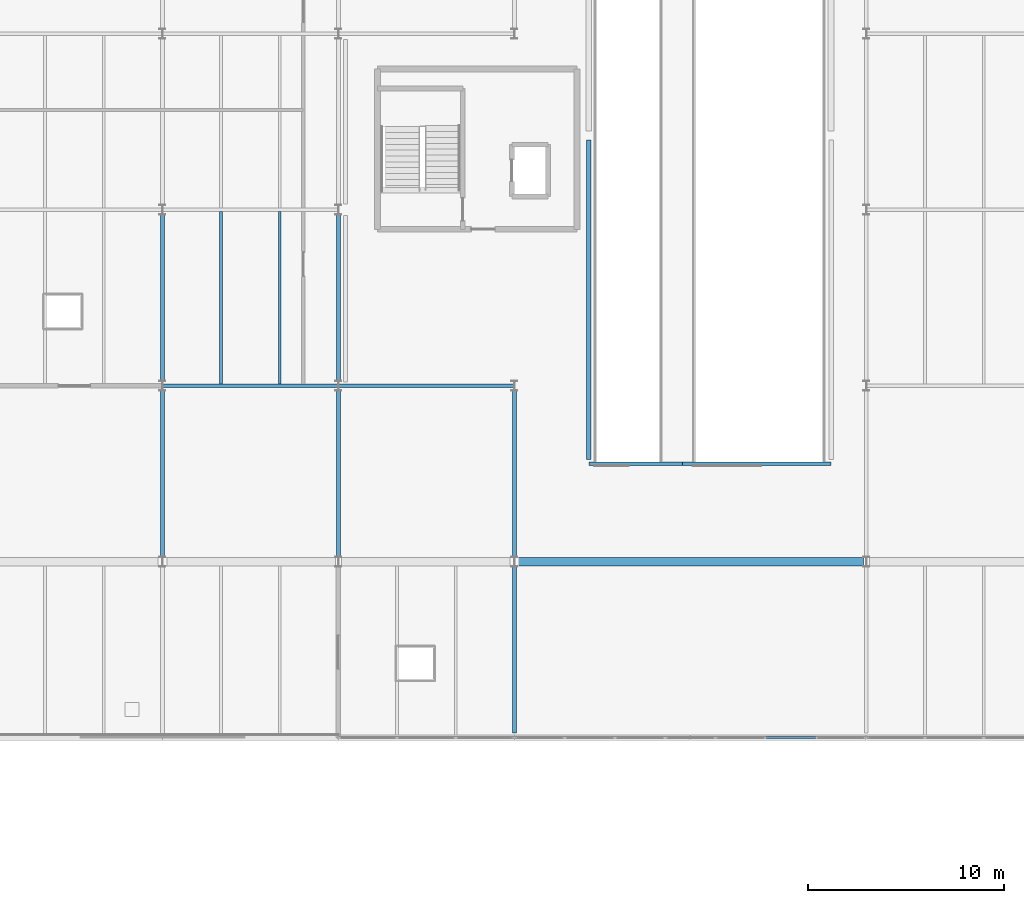
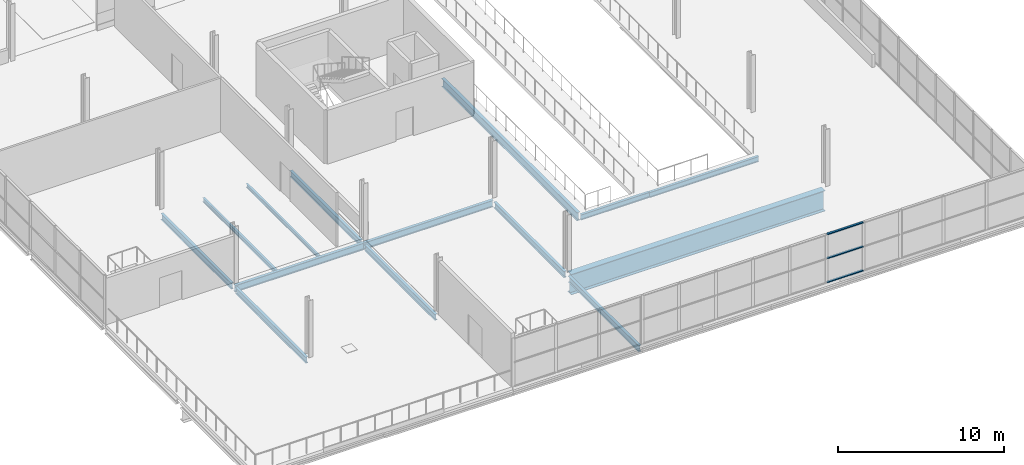
# One storey, part 22 of 88: 14 beams, 3 members, 1 element without a shape of its own.
"""IFC4 building model written with IfcOpenShell, lengths in metres."""

from ifc_helpers import new_model, si_unit, direction, frame, origin, origin_2d, place, context, subcontext, project, spatial, hollow_rectangle, i_section, extrude, material, layer, layer_set, material_profile, profile_set, type_object, element, aggregate, save


model = new_model("IFC4")

# Units and contexts
model_context = context("Model", 3, precision=1e-05, world=origin(), true_north=direction((0.0, 1.0)))
body_context = subcontext(model_context, "Body", "Model", "MODEL_VIEW")
ifc_project = project(units=[si_unit("LENGTHUNIT", "METRE"), si_unit("AREAUNIT", "SQUARE_METRE"), si_unit("VOLUMEUNIT", "CUBIC_METRE"), si_unit("PLANEANGLEUNIT", "RADIAN"), si_unit("MASSUNIT", "GRAM", prefix="KILO")], contexts=[model_context])

# Site, building, storey
site_placement = place(None, origin())
site = spatial("IfcSite", under=ifc_project, at=site_placement, CompositionType="ELEMENT")
building_placement = place(site_placement, origin())
building = spatial("IfcBuilding", under=site, at=building_placement, Name="Deido Ridge Mobility Hub", CompositionType="ELEMENT")
storey_placement = place(building_placement, frame((0.0, 0.0, 16.800048828125)))
storey = spatial("IfcBuildingStorey", under=building, at=storey_placement, Name="L04", CompositionType="ELEMENT", Elevation=16.800048828125)

# Beams
ifc_material_1 = material(Name="Steel S355J2 EN 10025-2", Category="steel")
ifc_material_profile_1 = material_profile(ifc_material_1, i_section(OverallWidth=0.179931640625, OverallDepth=0.39990234375, WebThickness=0.008544921875, FlangeThickness=0.013427734375, FilletRadius=0.02099609375, at=origin_2d()), Name="IPE 400")
ifc_profile_set_1 = profile_set([ifc_material_profile_1], Name="Steel S355J2 EN 10025-2")
beam_type_1 = type_object("IfcBeamType", Name="BM-IPE400", PredefinedType="BEAM", material=ifc_profile_set_1)
beam_1_placement = place(storey_placement, frame((84.806884765625, 50.0, -0.47509765625), z_axis=(1.0, 0.0, 0.0), x_axis=(0.0, 1.0, 0.0)))
element("IfcBeam", 1, at=beam_1_placement, inside=storey, type_object=beam_type_1, Name="Floor beam B5", PredefinedType="BEAM", context=body_context, shape_type="SweptSolid", body=[
    extrude(i_section(OverallWidth=0.179931640625, OverallDepth=0.39990234375, WebThickness=0.008544921875, FlangeThickness=0.013427734375, FilletRadius=0.02099609375, at=origin_2d()), origin(), (0.0, 0.0, 1.0), 4.7861328125),
])
beam_2_placement = place(storey_placement, frame((89.60693359375, 50.0, -0.5), z_axis=(1.0, 0.0, 0.0), x_axis=(0.0, 1.0, 0.0)))
element("IfcBeam", 2, at=beam_2_placement, inside=storey, type_object=beam_type_1, Name="Floor beam B5", PredefinedType="BEAM", context=body_context, shape_type="SweptSolid", body=[
    extrude(i_section(OverallWidth=0.179931640625, OverallDepth=0.39990234375, WebThickness=0.008544921875, FlangeThickness=0.013427734375, FilletRadius=0.02099609375, at=origin_2d()), origin(), (0.0, 0.0, 1.0), 7.586181640625),
])
ifc_material_profile_2 = material_profile(ifc_material_1, i_section(OverallWidth=0.18994140625, OverallDepth=0.449951171875, WebThickness=0.009521484375, FlangeThickness=0.0146484375, FilletRadius=0.02099609375, at=origin_2d()), Name="IPE 450")
ifc_profile_set_2 = profile_set([ifc_material_profile_2], Name="Steel S355J2 EN 10025-2")
beam_type_2 = type_object("IfcBeamType", Name="BM-IPE450", PredefinedType="BEAM", material=ifc_profile_set_2)
for number, where, z_axis, x_axis, name in (
    (3, (63.0, 45.25, -0.5), (0.0, 1.0, 0.0), (-1.0, 0.0, 0.0), "Floor beam B4"),
    (4, (63.0, 54.25, -0.5), (0.0, 1.0, 0.0), (-1.0, 0.0, 0.0), "Floor beam B4"),
    (5, (72.0, 45.25, -0.5), (0.0, 1.0, 0.0), (-1.0, 0.0, 0.0), "Floor beam B4"),
    (6, (72.0, 54.25, -0.5), (0.0, 1.0, 0.0), (-1.0, 0.0, 0.0), "Floor beam B4"),
    (7, (81.0, 36.25, -0.5), (0.0, 1.0, 0.0), (-1.0, 0.0, 0.0), "Floor beam B4"),
    (8, (81.0, 45.25, -0.5), (0.0, 1.0, 0.0), (-1.0, 0.0, 0.0), "Floor beam B4"),
):
    element("IfcBeam", number, at=place(storey_placement, frame(where, z_axis=z_axis, x_axis=x_axis)), inside=storey, type_object=beam_type_2, Name=name, PredefinedType="BEAM", context=body_context, shape_type="SweptSolid", body=[
        extrude(i_section(OverallWidth=0.18994140625, OverallDepth=0.449951171875, WebThickness=0.009521484375, FlangeThickness=0.0146484375, FilletRadius=0.02099609375, at=origin_2d()), origin(), (0.0, 0.0, 1.0), 8.5),
    ])
ifc_material_profile_3 = material_profile(ifc_material_1, i_section(OverallWidth=0.199951171875, OverallDepth=0.5, WebThickness=0.01025390625, FlangeThickness=0.01611328125, FilletRadius=0.02099609375, at=origin_2d()), Name="IPE 500")
ifc_profile_set_3 = profile_set([ifc_material_profile_3], Name="Steel S355J2 EN 10025-2")
beam_type_3 = type_object("IfcBeamType", Name="BM-IPE500", PredefinedType="BEAM", material=ifc_profile_set_3)
for number, where, z_axis, x_axis, name in (
    (9, (63.007080078125, 54.0, -0.525146484375), (1.0, 0.0, 0.0), (0.0, 1.0, 0.0), "Floor beam B3"),
    (10, (72.007080078125, 54.0, -0.525146484375), (1.0, 0.0, 0.0), (0.0, 1.0, 0.0), "Floor beam B3"),
):
    element("IfcBeam", number, at=place(storey_placement, frame(where, z_axis=z_axis, x_axis=x_axis)), inside=storey, type_object=beam_type_3, Name=name, PredefinedType="BEAM", context=body_context, shape_type="SweptSolid", body=[
        extrude(i_section(OverallWidth=0.199951171875, OverallDepth=0.5, WebThickness=0.01025390625, FlangeThickness=0.01611328125, FilletRadius=0.02099609375, at=origin_2d()), origin(), (0.0, 0.0, 1.0), 8.98583984375),
    ])
ifc_material_profile_4 = material_profile(ifc_material_1, i_section(OverallWidth=0.219970703125, OverallDepth=0.60009765625, WebThickness=0.011962890625, FlangeThickness=0.01904296875, FilletRadius=0.02392578125, at=origin_2d()), Name="IPE 600")
ifc_profile_set_4 = profile_set([ifc_material_profile_4], Name="Steel S355J2 EN 10025-2")
beam_type_4 = type_object("IfcBeamType", Name="BM-IPE600", PredefinedType="BEAM", material=ifc_profile_set_4)
beam_3_placement = place(storey_placement, frame((84.800048828125, 50.22509765625, -0.574951171875), z_axis=(0.0, 1.0, 0.0), x_axis=(-1.0, 0.0, 0.0)))
element("IfcBeam", 11, at=beam_3_placement, inside=storey, type_object=beam_type_4, Name="Floor beam B1", PredefinedType="BEAM", context=body_context, shape_type="SweptSolid", body=[
    extrude(i_section(OverallWidth=0.219970703125, OverallDepth=0.60009765625, WebThickness=0.011962890625, FlangeThickness=0.01904296875, FilletRadius=0.02392578125, at=origin_2d()), origin(), (0.0, 0.0, 1.0), 16.349853515625),
])
ifc_material_profile_5 = material_profile(ifc_material_1, i_section(OverallWidth=0.449951171875, OverallDepth=1.52001953125, WebThickness=0.02001953125, FlangeThickness=0.034912109375, FilletRadius=0.01611328125, at=origin_2d()), Name="WTG 1520x450")
ifc_profile_set_5 = profile_set([ifc_material_profile_5], Name="Steel S355J2 EN 10025-2")
beam_type_5 = type_object("IfcBeamType", Name="BM-TG-1520", PredefinedType="USERDEFINED", material=ifc_profile_set_5)
beam_4_placement = place(storey_placement, frame((81.14990234375, 45.0, -1.03515625), z_axis=(1.0, 0.0, 0.0), x_axis=(0.0, 1.0, 0.0)))
element("IfcBeam", 12, at=beam_4_placement, inside=storey, type_object=beam_type_5, Name="Transfer girder TG2", ObjectType="TRANSFER GIRDER", PredefinedType="USERDEFINED", context=body_context, shape_type="SweptSolid", body=[
    extrude(i_section(OverallWidth=0.449951171875, OverallDepth=1.52001953125, WebThickness=0.02001953125, FlangeThickness=0.034912109375, FilletRadius=0.01611328125, at=origin_2d()), origin(), (0.0, 0.0, 1.0), 17.7001953125),
])
ifc_material_profile_6 = material_profile(ifc_material_1, i_section(OverallWidth=0.135009765625, OverallDepth=0.27001953125, WebThickness=0.006591796875, FlangeThickness=0.01025390625, FilletRadius=0.014892578125, at=origin_2d()), Name="IPE 270")
ifc_profile_set_6 = profile_set([ifc_material_profile_6], Name="Steel S355J2 EN 10025-2")
beam_type_6 = type_object("IfcBeamType", Name="JST-IPE270", PredefinedType="JOIST", material=ifc_profile_set_6)
beam_5_placement = place(storey_placement, frame((69.0, 54.10009765625, -0.41015625), z_axis=(0.0, 1.0, 0.0), x_axis=(-1.0, 0.0, 0.0)))
element("IfcBeam", 13, at=beam_5_placement, inside=storey, type_object=beam_type_6, Name="Composite joist J4", PredefinedType="JOIST", context=body_context, shape_type="SweptSolid", body=[
    extrude(i_section(OverallWidth=0.135009765625, OverallDepth=0.27001953125, WebThickness=0.006591796875, FlangeThickness=0.01025390625, FilletRadius=0.014892578125, at=origin_2d()), origin(), (0.0, 0.0, 1.0), 8.7998046875),
])
ifc_material_profile_7 = material_profile(ifc_material_1, i_section(OverallWidth=0.14990234375, OverallDepth=0.300048828125, WebThickness=0.007080078125, FlangeThickness=0.0107421875, FilletRadius=0.014892578125, at=origin_2d()), Name="IPE 300")
ifc_profile_set_7 = profile_set([ifc_material_profile_7], Name="Steel S355J2 EN 10025-2")
beam_type_7 = type_object("IfcBeamType", Name="JST-IPE300", PredefinedType="JOIST", material=ifc_profile_set_7)
beam_6_placement = place(storey_placement, frame((66.0, 54.10009765625, -0.425048828125), z_axis=(0.0, 1.0, 0.0), x_axis=(-1.0, 0.0, 0.0)))
element("IfcBeam", 14, at=beam_6_placement, inside=storey, type_object=beam_type_7, Name="Composite joist J3", PredefinedType="JOIST", context=body_context, shape_type="SweptSolid", body=[
    extrude(i_section(OverallWidth=0.14990234375, OverallDepth=0.300048828125, WebThickness=0.007080078125, FlangeThickness=0.0107421875, FilletRadius=0.014892578125, at=origin_2d()), origin(), (0.0, 0.0, 1.0), 8.7998046875),
])

# Curtain wall, members
ifc_material_2 = material(Name="Anodised aluminium EN AW-6063 T6", Category="aluminium")
ifc_layer = layer(ifc_material_2, 0.22509765625, Name="Anodised aluminium EN AW-6063 T6")
ifc_layer_set = layer_set([ifc_layer], Name="Anodised aluminium EN AW-6063 T6")
curtain_wall_type = type_object("IfcCurtainWallType", Name="CW-UF-5", PredefinedType="USERDEFINED", material=ifc_layer_set)
curtain_wall_placement = place(storey_placement, origin())
curtain_wall = element("IfcCurtainWall", 15, at=curtain_wall_placement, inside=storey, type_object=curtain_wall_type, Name="Unitised curtain wall CW5", ObjectType="UNITISED FACADE", PredefinedType="USERDEFINED")
ifc_material_profile_8 = material_profile(ifc_material_2, hollow_rectangle(XDim=0.14501953125, YDim=0.070068359375, WallThickness=0.00390625, at=origin_2d()), Name="RHS 145x70x4")
ifc_profile_set_8 = profile_set([ifc_material_profile_8], Name="Anodised aluminium EN AW-6063 T6")
member_type = type_object("IfcMemberType", Name="MEM-TRN-145X70", PredefinedType="USERDEFINED", material=ifc_profile_set_8)
member_1_placement = place(storey_placement, frame((93.89208984375, 36.0, 0.034912109375), z_axis=(1.0, 0.0, 0.0), x_axis=(0.0, 1.0, 0.0)))
member_1 = element("IfcMember", 16, at=member_1_placement, type_object=member_type, Name="CW5 transom 6.1", ObjectType="TRANSOM", PredefinedType="USERDEFINED", context=body_context, shape_type="SweptSolid", body=[
    extrude(hollow_rectangle(XDim=0.14501953125, YDim=0.070068359375, WallThickness=0.00390625, at=origin_2d()), origin(), (0.0, 0.0, 1.0), 2.50146484375),
])
member_2_placement = place(storey_placement, frame((93.89208984375, 36.0, 1.800048828125), z_axis=(1.0, 0.0, 0.0), x_axis=(0.0, 1.0, 0.0)))
member_2 = element("IfcMember", 17, at=member_2_placement, type_object=member_type, Name="CW5 transom 6.2", ObjectType="TRANSOM", PredefinedType="USERDEFINED", context=body_context, shape_type="SweptSolid", body=[
    extrude(hollow_rectangle(XDim=0.14501953125, YDim=0.070068359375, WallThickness=0.00390625, at=origin_2d()), origin(), (0.0, 0.0, 1.0), 2.50146484375),
])
member_3_placement = place(storey_placement, frame((93.89208984375, 36.0, 3.56494140625), z_axis=(1.0, 0.0, 0.0), x_axis=(0.0, 1.0, 0.0)))
member_3 = element("IfcMember", 18, at=member_3_placement, type_object=member_type, Name="CW5 transom 6.3", ObjectType="TRANSOM", PredefinedType="USERDEFINED", context=body_context, shape_type="SweptSolid", body=[
    extrude(hollow_rectangle(XDim=0.14501953125, YDim=0.070068359375, WallThickness=0.00390625, at=origin_2d()), origin(), (0.0, 0.0, 1.0), 2.50146484375),
])
aggregate(curtain_wall, [member_1, member_2, member_3])

save(model, "model.ifc")
